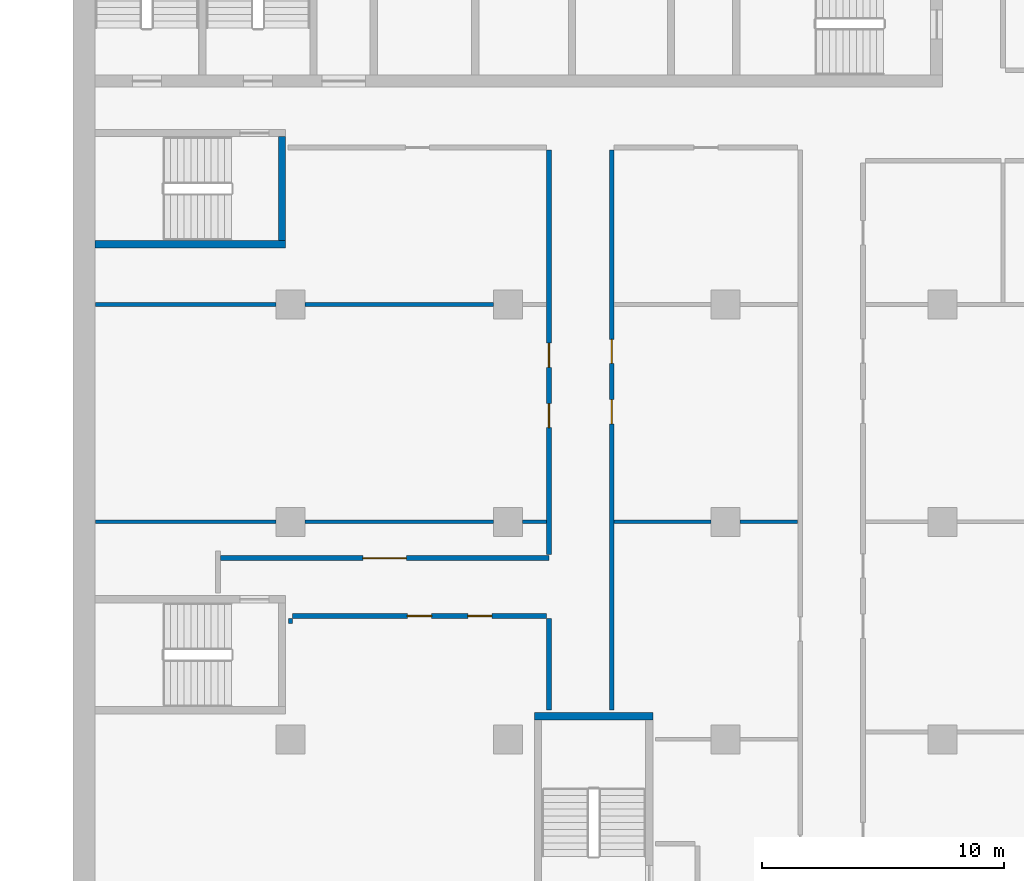
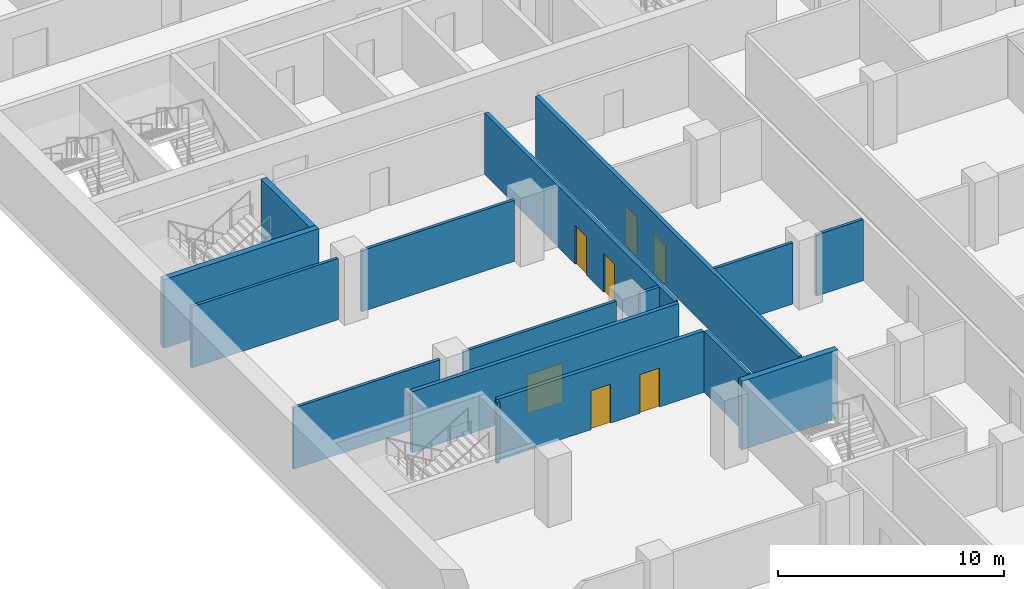
# One storey, part 11 of 23: 16 walls, 7 doors, 7 openings.
"""IFC4 building model written with IfcOpenShell, lengths in metres."""

from ifc_helpers import new_model, si_unit, direction, frame, frame_2d, origin, place, context, subcontext, project, spatial, rectangle, extrude, material, layer, layer_set, type_object, element, fill, save


model = new_model("IFC4")

# Units and contexts
model_context = context("Model", 3, precision=1e-05, world=origin(), true_north=direction((0.0, 1.0)))
body_context = subcontext(model_context, "Body", "Model", "MODEL_VIEW")
ifc_project = project(units=[si_unit("LENGTHUNIT", "METRE"), si_unit("AREAUNIT", "SQUARE_METRE"), si_unit("VOLUMEUNIT", "CUBIC_METRE"), si_unit("PLANEANGLEUNIT", "RADIAN"), si_unit("MASSUNIT", "GRAM", prefix="KILO")], contexts=[model_context])

# Site, building, storey
site_placement = place(None, origin())
site = spatial("IfcSite", under=ifc_project, at=site_placement, CompositionType="ELEMENT")
building_placement = place(site_placement, origin())
building = spatial("IfcBuilding", under=site, at=building_placement, Name="Hunhe Ridgeline Campus", CompositionType="ELEMENT")
storey_placement = place(building_placement, frame((0.0, 0.0, 152.300048828125)))
storey = spatial("IfcBuildingStorey", under=building, at=storey_placement, Name="L38", CompositionType="ELEMENT", Elevation=152.300048828125)

# Wall, openings, doors
ifc_material_1 = material(Name="Gypsum board partition")
ifc_layer_1 = layer(ifc_material_1, 0.199951171875)
ifc_layer_set_1 = layer_set([ifc_layer_1], Name="Corridor partition 200 gypsum board on steel studs")
wall_type_1 = type_object("IfcWallType", Name="Corridor partition 200 gypsum board on steel studs", PredefinedType="PARTITIONING", material=ifc_layer_set_1)
wall_1_placement = place(storey_placement, frame((19.60009765625, 41.10009765625, 0.0), z_axis=(0.0, 0.0, 1.0), x_axis=(-1.0, 0.0, 0.0)))
wall_1 = element("IfcWall", 1, at=wall_1_placement, inside=storey, type_object=wall_type_1, Name="F-L38-wall-023", PredefinedType="PARTITIONING", context=body_context, shape_type="SweptSolid", body=[
    extrude(rectangle(XDim=10.525146484375, YDim=0.199951171875, at=frame_2d((5.2626953125, 0.0))), origin(), (0.0, 0.0, 1.0), 3.300048828125),
])
opening_1_placement = place(wall_1_placement, frame((4.762451171875, 0.0, 0.0)))
opening_1 = element("IfcOpeningElement", 2, at=opening_1_placement, cuts=wall_1, Name="Opening RD1-013", PredefinedType="OPENING", context=body_context, shape_type="SweptSolid", body=[
    extrude(rectangle(XDim=1.0, YDim=2.10009765625, at=frame_2d((0.5, 1.050048828125))), frame((0.0, 0.10009765625, 0.0), z_axis=(0.0, -1.0, 0.0), x_axis=(1.0, 0.0, 0.0)), (0.0, 0.0, 1.0), 0.199951171875),
])
opening_2_placement = place(wall_1_placement, frame((2.262451171875, 0.0, 0.0)))
opening_2 = element("IfcOpeningElement", 3, at=opening_2_placement, cuts=wall_1, Name="Opening RD1-014", PredefinedType="OPENING", context=body_context, shape_type="SweptSolid", body=[
    extrude(rectangle(XDim=1.0, YDim=2.10009765625, at=frame_2d((0.5, 1.050048828125))), frame((0.0, 0.10009765625, 0.0), z_axis=(0.0, -1.0, 0.0), x_axis=(1.0, 0.0, 0.0)), (0.0, 0.0, 1.0), 0.199951171875),
])
ifc_material_2 = material(Name="Timber door leaf", Category="wood")
door_type_1 = type_object("IfcDoorType", Name="Single fire door 1000x2100 timber FD60", OperationType="NOTDEFINED", PredefinedType="DOOR", material=ifc_material_2)
door_1_placement = place(opening_1_placement, frame((1.0, 0.0, 0.0), z_axis=(0.0, 0.0, 1.0), x_axis=(-1.0, 0.0, 0.0)))
door_1 = element("IfcDoor", 4, at=door_1_placement, inside=storey, type_object=door_type_1, Name="F-L38-door-013", OperationType="SINGLE_SWING_RIGHT", OverallHeight=2.10009765625, OverallWidth=1.0, PredefinedType="DOOR", context=body_context, shape_type="SweptSolid", body=[
    extrude(rectangle(XDim=1.0, YDim=2.10009765625, at=frame_2d((0.5, 1.050048828125))), frame((0.0, 0.02490234375, 0.0), z_axis=(0.0, -1.0, 0.0), x_axis=(1.0, 0.0, 0.0)), (0.0, 0.0, 1.0), 0.050048828125),
])
fill(opening_1, door_1)
door_2_placement = place(opening_2_placement, frame((1.0, 0.0, 0.0), z_axis=(0.0, 0.0, 1.0), x_axis=(-1.0, 0.0, 0.0)))
door_2 = element("IfcDoor", 5, at=door_2_placement, inside=storey, type_object=door_type_1, Name="F-L38-door-014", OperationType="SINGLE_SWING_RIGHT", OverallHeight=2.10009765625, OverallWidth=1.0, PredefinedType="DOOR", context=body_context, shape_type="SweptSolid", body=[
    extrude(rectangle(XDim=1.0, YDim=2.10009765625, at=frame_2d((0.5, 1.050048828125))), frame((0.0, 0.02490234375, 0.0), z_axis=(0.0, -1.0, 0.0), x_axis=(1.0, 0.0, 0.0)), (0.0, 0.0, 1.0), 0.050048828125),
])
fill(opening_2, door_2)

# Wall, opening, door
wall_2_placement = place(storey_placement, frame((6.10009765625, 43.5, 0.0), z_axis=(0.0, 0.0, 1.0), x_axis=(1.0, 0.0, 0.0)))
wall_2 = element("IfcWall", 6, at=wall_2_placement, inside=storey, type_object=wall_type_1, Name="F-L38-wall-024", PredefinedType="PARTITIONING", context=body_context, shape_type="SweptSolid", body=[
    extrude(rectangle(XDim=13.599853515625, YDim=0.199951171875, at=frame_2d((6.7998046875, 0.0))), origin(), (0.0, 0.0, 1.0), 3.300048828125),
])
opening_3_placement = place(wall_2_placement, frame((5.89990234375, 0.0, 0.0)))
opening_3 = element("IfcOpeningElement", 7, at=opening_3_placement, cuts=wall_2, Name="Opening RD2-016", PredefinedType="OPENING", context=body_context, shape_type="SweptSolid", body=[
    extrude(rectangle(XDim=1.800048828125, YDim=2.10009765625, at=frame_2d((0.89990234375, 1.050048828125))), frame((0.0, 0.10009765625, 0.0), z_axis=(0.0, -1.0, 0.0), x_axis=(1.0, 0.0, 0.0)), (0.0, 0.0, 1.0), 0.199951171875),
])
door_type_2 = type_object("IfcDoorType", Name="Double fire door 1800x2100 timber FD60", OperationType="DOUBLE_DOOR_SINGLE_SWING", PredefinedType="DOOR", material=ifc_material_2)
door_3_placement = place(opening_3_placement, origin())
door_3 = element("IfcDoor", 8, at=door_3_placement, inside=storey, type_object=door_type_2, Name="F-L38-door-016", OperationType="DOUBLE_DOOR_SINGLE_SWING", OverallHeight=2.10009765625, OverallWidth=1.800048828125, PredefinedType="DOOR", context=body_context, shape_type="SweptSolid", body=[
    extrude(rectangle(XDim=1.800048828125, YDim=2.10009765625, at=frame_2d((0.89990234375, 1.050048828125))), frame((0.0, 0.02490234375, 0.0), z_axis=(0.0, -1.0, 0.0), x_axis=(1.0, 0.0, 0.0)), (0.0, 0.0, 1.0), 0.050048828125),
])
fill(opening_3, door_3)

# Wall
wall_3_placement = place(storey_placement, frame((19.699951171875, 37.2041015625, 0.0), z_axis=(0.0, 0.0, 1.0), x_axis=(0.0, 1.0, 0.0)))
element("IfcWall", 9, at=wall_3_placement, inside=storey, type_object=wall_type_1, Name="F-L38-wall-062", PredefinedType="PARTITIONING", context=body_context, shape_type="SweptSolid", body=[
    extrude(rectangle(XDim=3.7958984375, YDim=0.199951171875, at=frame_2d((1.89794921875, 0.0))), origin(), (0.0, 0.0, 1.0), 3.300048828125),
])

# Wall, openings, doors
wall_4_placement = place(storey_placement, frame((19.699951171875, 43.6474609375, 0.0), z_axis=(0.0, 0.0, 1.0), x_axis=(0.0, 1.0, 0.0)))
wall_4 = element("IfcWall", 10, at=wall_4_placement, inside=storey, type_object=wall_type_1, Name="F-L38-wall-063", PredefinedType="PARTITIONING", context=body_context, shape_type="SweptSolid", body=[
    extrude(rectangle(XDim=16.75244140625, YDim=0.199951171875, at=frame_2d((8.376220703125, 0.0))), origin(), (0.0, 0.0, 1.0), 3.300048828125),
])
opening_4_placement = place(wall_4_placement, frame((5.250732421875, 0.0, 0.0)))
opening_4 = element("IfcOpeningElement", 11, at=opening_4_placement, cuts=wall_4, Name="Opening RD1-017", PredefinedType="OPENING", context=body_context, shape_type="SweptSolid", body=[
    extrude(rectangle(XDim=1.0, YDim=2.10009765625, at=frame_2d((0.5, 1.050048828125))), frame((0.0, 0.10009765625, 0.0), z_axis=(0.0, -1.0, 0.0), x_axis=(1.0, 0.0, 0.0)), (0.0, 0.0, 1.0), 0.199951171875),
])
opening_5_placement = place(wall_4_placement, frame((7.750732421875, 0.0, 0.0)))
opening_5 = element("IfcOpeningElement", 12, at=opening_5_placement, cuts=wall_4, Name="Opening RD1-020", PredefinedType="OPENING", context=body_context, shape_type="SweptSolid", body=[
    extrude(rectangle(XDim=1.0, YDim=2.10009765625, at=frame_2d((0.5, 1.050048828125))), frame((0.0, 0.10009765625, 0.0), z_axis=(0.0, -1.0, 0.0), x_axis=(1.0, 0.0, 0.0)), (0.0, 0.0, 1.0), 0.199951171875),
])
door_4_placement = place(opening_4_placement, frame((1.0, 0.0, 0.0), z_axis=(0.0, 0.0, 1.0), x_axis=(-1.0, 0.0, 0.0)))
door_4 = element("IfcDoor", 13, at=door_4_placement, inside=storey, type_object=door_type_1, Name="F-L38-door-017", OperationType="SINGLE_SWING_LEFT", OverallHeight=2.10009765625, OverallWidth=1.0, PredefinedType="DOOR", context=body_context, shape_type="SweptSolid", body=[
    extrude(rectangle(XDim=1.0, YDim=2.10009765625, at=frame_2d((0.5, 1.050048828125))), frame((0.0, 0.02490234375, 0.0), z_axis=(0.0, -1.0, 0.0), x_axis=(1.0, 0.0, 0.0)), (0.0, 0.0, 1.0), 0.050048828125),
])
fill(opening_4, door_4)
door_5_placement = place(opening_5_placement, frame((1.0, 0.0, 0.0), z_axis=(0.0, 0.0, 1.0), x_axis=(-1.0, 0.0, 0.0)))
door_5 = element("IfcDoor", 14, at=door_5_placement, inside=storey, type_object=door_type_1, Name="F-L38-door-020", OperationType="SINGLE_SWING_LEFT", OverallHeight=2.10009765625, OverallWidth=1.0, PredefinedType="DOOR", context=body_context, shape_type="SweptSolid", body=[
    extrude(rectangle(XDim=1.0, YDim=2.10009765625, at=frame_2d((0.5, 1.050048828125))), frame((0.0, 0.02490234375, 0.0), z_axis=(0.0, -1.0, 0.0), x_axis=(1.0, 0.0, 0.0)), (0.0, 0.0, 1.0), 0.050048828125),
])
fill(opening_5, door_5)

wall_5_placement = place(storey_placement, frame((22.300048828125, 60.39990234375, 0.0), z_axis=(0.0, 0.0, 1.0), x_axis=(0.0, -1.0, 0.0)))
wall_5 = element("IfcWall", 15, at=wall_5_placement, inside=storey, type_object=wall_type_1, Name="F-L38-wall-065", PredefinedType="PARTITIONING", context=body_context, shape_type="SweptSolid", body=[
    extrude(rectangle(XDim=23.19580078125, YDim=0.199951171875, at=frame_2d((11.597900390625, 0.0))), origin(), (0.0, 0.0, 1.0), 3.300048828125),
])
opening_6_placement = place(wall_5_placement, frame((10.341552734375, 0.0, 0.0)))
opening_6 = element("IfcOpeningElement", 16, at=opening_6_placement, cuts=wall_5, Name="Opening RD1-018", PredefinedType="OPENING", context=body_context, shape_type="SweptSolid", body=[
    extrude(rectangle(XDim=1.0, YDim=2.10009765625, at=frame_2d((0.5, 1.050048828125))), frame((0.0, 0.10009765625, 0.0), z_axis=(0.0, -1.0, 0.0), x_axis=(1.0, 0.0, 0.0)), (0.0, 0.0, 1.0), 0.199951171875),
])
opening_7_placement = place(wall_5_placement, frame((7.841552734375, 0.0, 0.0)))
opening_7 = element("IfcOpeningElement", 17, at=opening_7_placement, cuts=wall_5, Name="Opening RD1-021", PredefinedType="OPENING", context=body_context, shape_type="SweptSolid", body=[
    extrude(rectangle(XDim=1.0, YDim=2.10009765625, at=frame_2d((0.5, 1.050048828125))), frame((0.0, 0.10009765625, 0.0), z_axis=(0.0, -1.0, 0.0), x_axis=(1.0, 0.0, 0.0)), (0.0, 0.0, 1.0), 0.199951171875),
])
door_6_placement = place(opening_6_placement, frame((1.0, 0.0, 0.0), z_axis=(0.0, 0.0, 1.0), x_axis=(-1.0, 0.0, 0.0)))
door_6 = element("IfcDoor", 18, at=door_6_placement, inside=storey, type_object=door_type_1, Name="F-L38-door-018", OperationType="SINGLE_SWING_LEFT", OverallHeight=2.10009765625, OverallWidth=1.0, PredefinedType="DOOR", context=body_context, shape_type="SweptSolid", body=[
    extrude(rectangle(XDim=1.0, YDim=2.10009765625, at=frame_2d((0.5, 1.050048828125))), frame((0.0, 0.02490234375, 0.0), z_axis=(0.0, -1.0, 0.0), x_axis=(1.0, 0.0, 0.0)), (0.0, 0.0, 1.0), 0.050048828125),
])
fill(opening_6, door_6)
door_7_placement = place(opening_7_placement, frame((1.0, 0.0, 0.0), z_axis=(0.0, 0.0, 1.0), x_axis=(-1.0, 0.0, 0.0)))
door_7 = element("IfcDoor", 19, at=door_7_placement, inside=storey, type_object=door_type_1, Name="F-L38-door-021", OperationType="SINGLE_SWING_RIGHT", OverallHeight=2.10009765625, OverallWidth=1.0, PredefinedType="DOOR", context=body_context, shape_type="SweptSolid", body=[
    extrude(rectangle(XDim=1.0, YDim=2.10009765625, at=frame_2d((0.5, 1.050048828125))), frame((0.0, 0.02490234375, 0.0), z_axis=(0.0, -1.0, 0.0), x_axis=(1.0, 0.0, 0.0)), (0.0, 0.0, 1.0), 0.050048828125),
])
fill(opening_7, door_7)

# Walls
ifc_layer_2 = layer(ifc_material_1, 0.14990234375)
ifc_layer_set_2 = layer_set([ifc_layer_2], Name="Room partition 150 gypsum board on steel studs")
wall_type_2 = type_object("IfcWallType", Name="Room partition 150 gypsum board on steel studs", PredefinedType="PARTITIONING", material=ifc_layer_set_2)
wall_6_placement = place(storey_placement, frame((0.919921875, 45.0, 0.0), z_axis=(0.0, 0.0, 1.0), x_axis=(1.0, 0.0, 0.0)))
element("IfcWall", 20, at=wall_6_placement, inside=storey, type_object=wall_type_2, Name="F-L38-wall-025", PredefinedType="PARTITIONING", context=body_context, shape_type="SweptSolid", body=[
    extrude(rectangle(XDim=7.47998046875, YDim=0.14990234375, at=frame_2d((3.739990234375, 0.0))), origin(), (0.0, 0.0, 1.0), 3.300048828125),
])
wall_7_placement = place(storey_placement, frame((9.60009765625, 45.0, 0.0), z_axis=(0.0, 0.0, 1.0), x_axis=(1.0, 0.0, 0.0)))
element("IfcWall", 21, at=wall_7_placement, inside=storey, type_object=wall_type_2, Name="F-L38-wall-026", PredefinedType="PARTITIONING", context=body_context, shape_type="SweptSolid", body=[
    extrude(rectangle(XDim=7.7998046875, YDim=0.14990234375, at=frame_2d((3.89990234375, 0.0))), origin(), (0.0, 0.0, 1.0), 3.300048828125),
])
wall_8_placement = place(storey_placement, frame((18.60009765625, 45.0, 0.0), z_axis=(0.0, 0.0, 1.0), x_axis=(1.0, 0.0, 0.0)))
element("IfcWall", 22, at=wall_8_placement, inside=storey, type_object=wall_type_2, Name="F-L38-wall-027", PredefinedType="PARTITIONING", context=body_context, shape_type="SweptSolid", body=[
    extrude(rectangle(XDim=1.0, YDim=0.14990234375, at=frame_2d((0.5, 0.0))), origin(), (0.0, 0.0, 1.0), 3.300048828125),
])
wall_9_placement = place(storey_placement, frame((22.39990234375, 45.0, 0.0), z_axis=(0.0, 0.0, 1.0), x_axis=(1.0, 0.0, 0.0)))
element("IfcWall", 23, at=wall_9_placement, inside=storey, type_object=wall_type_2, Name="F-L38-wall-028", PredefinedType="PARTITIONING", context=body_context, shape_type="SweptSolid", body=[
    extrude(rectangle(XDim=4.0, YDim=0.14990234375, at=frame_2d((2.0, 0.0))), origin(), (0.0, 0.0, 1.0), 3.300048828125),
])
wall_10_placement = place(storey_placement, frame((27.60009765625, 45.0, 0.0), z_axis=(0.0, 0.0, 1.0), x_axis=(1.0, 0.0, 0.0)))
element("IfcWall", 24, at=wall_10_placement, inside=storey, type_object=wall_type_2, Name="F-L38-wall-029", PredefinedType="PARTITIONING", context=body_context, shape_type="SweptSolid", body=[
    extrude(rectangle(XDim=2.39990234375, YDim=0.14990234375, at=frame_2d((1.199951171875, 0.0))), origin(), (0.0, 0.0, 1.0), 3.300048828125),
])
wall_11_placement = place(storey_placement, frame((0.919921875, 54.0, 0.0), z_axis=(0.0, 0.0, 1.0), x_axis=(1.0, 0.0, 0.0)))
element("IfcWall", 25, at=wall_11_placement, inside=storey, type_object=wall_type_2, Name="F-L38-wall-032", PredefinedType="PARTITIONING", context=body_context, shape_type="SweptSolid", body=[
    extrude(rectangle(XDim=7.47998046875, YDim=0.14990234375, at=frame_2d((3.739990234375, 0.0))), origin(), (0.0, 0.0, 1.0), 3.300048828125),
])
wall_12_placement = place(storey_placement, frame((9.60009765625, 54.0, 0.0), z_axis=(0.0, 0.0, 1.0), x_axis=(1.0, 0.0, 0.0)))
element("IfcWall", 26, at=wall_12_placement, inside=storey, type_object=wall_type_2, Name="F-L38-wall-033", PredefinedType="PARTITIONING", context=body_context, shape_type="SweptSolid", body=[
    extrude(rectangle(XDim=7.7998046875, YDim=0.14990234375, at=frame_2d((3.89990234375, 0.0))), origin(), (0.0, 0.0, 1.0), 3.300048828125),
])
wall_13_placement = place(storey_placement, frame((9.0, 41.0, 0.0), z_axis=(0.0, 0.0, 1.0), x_axis=(0.0, -1.0, 0.0)))
element("IfcWall", 27, at=wall_13_placement, inside=storey, type_object=wall_type_2, Name="F-L38-wall-060", PredefinedType="PARTITIONING", context=body_context, shape_type="SweptSolid", body=[
    extrude(rectangle(XDim=0.199951171875, YDim=0.14990234375, at=frame_2d((0.10009765625, 0.0))), origin(), (0.0, 0.0, 1.0), 3.300048828125),
])
ifc_material_3 = material(Name="Concrete C70", Category="concrete")
ifc_layer_3 = layer(ifc_material_3, 0.300048828125)
ifc_layer_set_3 = layer_set([ifc_layer_3], Name="Stair wall 300 reinforced concrete C70")
wall_type_3 = type_object("IfcWallType", Name="Stair wall 300 reinforced concrete C70", PredefinedType="SOLIDWALL", material=ifc_layer_set_3)
wall_14_placement = place(storey_placement, frame((19.10009765625, 36.949951171875, -0.400146484375), z_axis=(0.0, 0.0, 1.0), x_axis=(1.0, 0.0, 0.0)))
element("IfcWall", 28, at=wall_14_placement, inside=storey, type_object=wall_type_3, Name="L38 core wall 2", PredefinedType="SOLIDWALL", context=body_context, shape_type="SweptSolid", body=[
    extrude(rectangle(XDim=4.89990234375, YDim=0.300048828125, at=frame_2d((2.449951171875, 0.0))), origin(), (0.0, 0.0, 1.0), 3.7001953125),
])
wall_15_placement = place(storey_placement, frame((0.89990234375, 56.5, -0.400146484375), z_axis=(0.0, 0.0, 1.0), x_axis=(1.0, 0.0, 0.0)))
element("IfcWall", 29, at=wall_15_placement, inside=storey, type_object=wall_type_3, Name="L38 core wall 5", PredefinedType="SOLIDWALL", context=body_context, shape_type="SweptSolid", body=[
    extrude(rectangle(XDim=7.900146484375, YDim=0.300048828125, at=frame_2d((3.9501953125, 0.0))), origin(), (0.0, 0.0, 1.0), 3.7001953125),
])
wall_16_placement = place(storey_placement, frame((8.64990234375, 56.64990234375, -0.400146484375), z_axis=(0.0, 0.0, 1.0), x_axis=(0.0, 1.0, 0.0)))
element("IfcWall", 30, at=wall_16_placement, inside=storey, type_object=wall_type_3, Name="L38 core wall 36", PredefinedType="SOLIDWALL", context=body_context, shape_type="SweptSolid", body=[
    extrude(rectangle(XDim=4.300048828125, YDim=0.300048828125, at=frame_2d((2.14990234375, 0.0))), origin(), (0.0, 0.0, 1.0), 3.7001953125),
])

save(model, "model.ifc")
